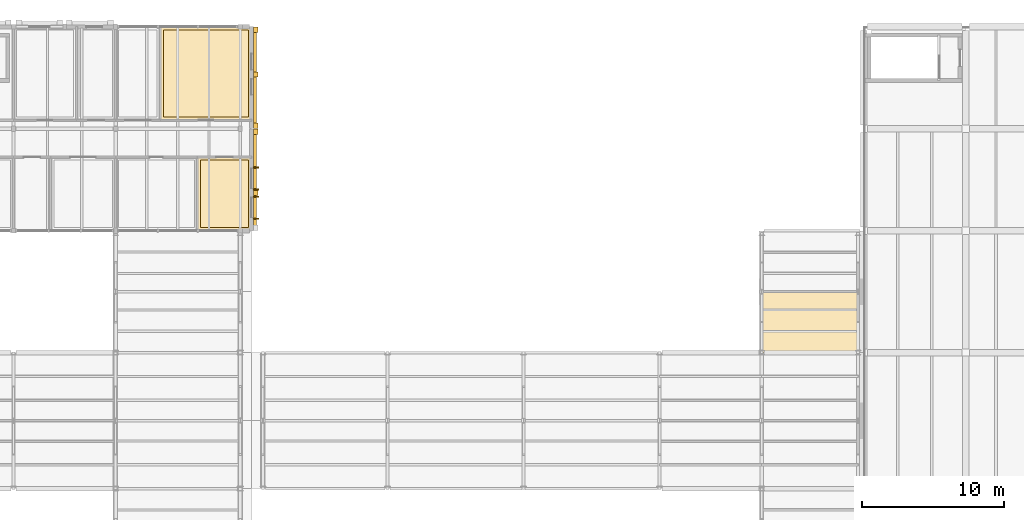
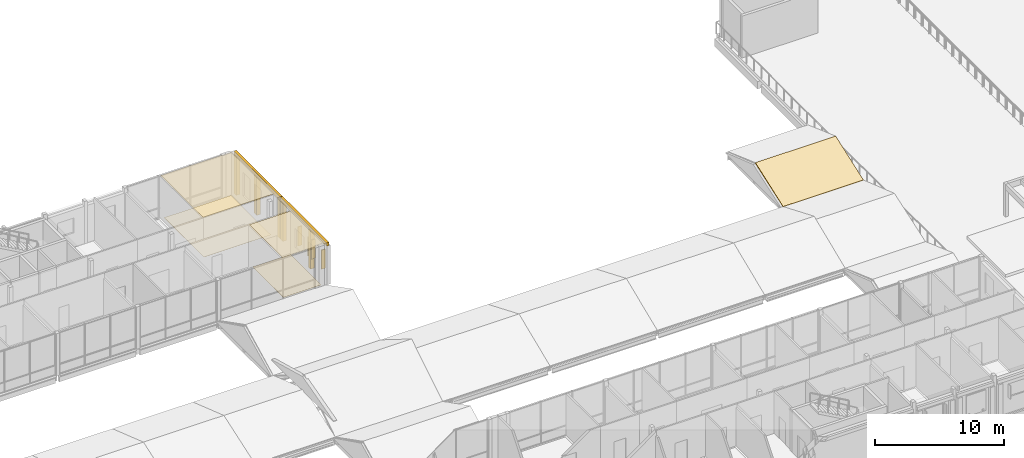
# One storey, part 112 of 115: 12 coverings, 4 shading devices.
"""IFC4 building model written with IfcOpenShell, lengths in metres."""

from ifc_helpers import new_model, si_unit, direction, frame, origin, origin_2d, place, context, subcontext, project, spatial, polyline, rectangle, outline, extrude, material, layer, layer_set, type_object, element, save


model = new_model("IFC4")

# Units and contexts
model_context = context("Model", 3, precision=1e-05, world=origin(), true_north=direction((0.0, 1.0)))
body_context = subcontext(model_context, "Body", "Model", "MODEL_VIEW")
ifc_project = project(units=[si_unit("LENGTHUNIT", "METRE"), si_unit("AREAUNIT", "SQUARE_METRE"), si_unit("VOLUMEUNIT", "CUBIC_METRE"), si_unit("PLANEANGLEUNIT", "RADIAN"), si_unit("MASSUNIT", "GRAM", prefix="KILO")], contexts=[model_context])

# Site, building, storey
site_placement = place(None, origin())
site = spatial("IfcSite", under=ifc_project, at=site_placement, CompositionType="ELEMENT")
building_placement = place(site_placement, origin())
building = spatial("IfcBuilding", under=site, at=building_placement, Name="Hawrajan Terrace Health Centre", CompositionType="ELEMENT")
storey_placement = place(building_placement, frame((0.0, 0.0, 9.0)))
storey = spatial("IfcBuildingStorey", under=building, at=storey_placement, Name="L02", CompositionType="ELEMENT", Elevation=9.0)

# Coverings
ifc_material_1 = material(Name="Precast concrete C40/50", Category="concrete")
ifc_layer_1 = layer(ifc_material_1, 0.219970703125)
ifc_layer_set_1 = layer_set([ifc_layer_1], Name="Precast concrete C40/50")
covering_type_1 = type_object("IfcCoveringType", Name="ArtDecoCorniceBand", PredefinedType="CLADDING", material=ifc_layer_set_1)
for number, where, z_axis, x_axis, name in (
    (1, (72.0400390625, 49.0, 3.669921875), (0.0, 0.0, 1.0), (0.0, 1.0, 0.0), "Art Deco limestone cornice band CRN-L02-0138"),
    (2, (72.0400390625, 56.199951171875, 3.669921875), (0.0, 0.0, 1.0), (0.0, 1.0, 0.0), "Art Deco limestone cornice band CRN-L02-0139"),
):
    element("IfcCovering", number, at=place(storey_placement, frame(where, z_axis=z_axis, x_axis=x_axis)), inside=storey, type_object=covering_type_1, Name=name, PredefinedType="CLADDING", context=body_context, shape_type="SweptSolid", body=[
        extrude(rectangle(XDim=7.159912109375, YDim=0.219970703125, at=origin_2d()), origin(), (0.0, 0.0, 1.0), 0.300048828125),
    ])
ifc_layer_2 = layer(ifc_material_1, 0.340087890625)
ifc_layer_set_2 = layer_set([ifc_layer_2], Name="Precast concrete C40/50")
covering_type_2 = type_object("IfcCoveringType", Name="ArtDecoStonePilaster", PredefinedType="CLADDING", material=ifc_layer_set_2)
covering_1_placement = place(storey_placement, frame((72.10009765625, 52.3798828125, 0.0), z_axis=(0.0, 0.0, 1.0), x_axis=(0.0, 1.0, 0.0)))
element("IfcCovering", 3, at=covering_1_placement, inside=storey, type_object=covering_type_2, Name="Art Deco fluted limestone pilaster FPIL-L02-0265", PredefinedType="CLADDING", context=body_context, shape_type="SweptSolid", body=[
    extrude(rectangle(XDim=0.39990234375, YDim=0.340087890625, at=origin_2d()), origin(), (0.0, 0.0, 1.0), 3.659912109375),
])
covering_2_placement = place(storey_placement, frame((72.10009765625, 48.06005859375, 0.0), z_axis=(0.0, 0.0, 1.0), x_axis=(0.0, 1.0, 0.0)))
element("IfcCovering", 4, at=covering_2_placement, inside=storey, type_object=covering_type_2, Name="Art Deco mullion pilaster FPIL-L02-0266", PredefinedType="CLADDING", context=body_context, shape_type="SweptSolid", body=[
    extrude(rectangle(XDim=0.360107421875, YDim=0.340087890625, at=origin_2d()), origin(), (0.0, 0.0, 1.0), 3.659912109375),
])
for number, where, z_axis, x_axis, name in (
    (5, (72.10009765625, 52.820068359375, 0.0), (0.0, 0.0, 1.0), (0.0, 1.0, 0.0), "Art Deco fluted limestone pilaster FPIL-L02-0267"),
    (6, (72.10009765625, 59.580078125, 0.0), (0.0, 0.0, 1.0), (0.0, 1.0, 0.0), "Art Deco fluted limestone pilaster FPIL-L02-0268"),
):
    element("IfcCovering", number, at=place(storey_placement, frame(where, z_axis=z_axis, x_axis=x_axis)), inside=storey, type_object=covering_type_2, Name=name, PredefinedType="CLADDING", context=body_context, shape_type="SweptSolid", body=[
        extrude(rectangle(XDim=0.39990234375, YDim=0.340087890625, at=origin_2d()), origin(), (0.0, 0.0, 1.0), 3.659912109375),
    ])
covering_3_placement = place(storey_placement, frame((72.10009765625, 56.43994140625, 0.0), z_axis=(0.0, 0.0, 1.0), x_axis=(0.0, 1.0, 0.0)))
element("IfcCovering", 7, at=covering_3_placement, inside=storey, type_object=covering_type_2, Name="Art Deco mullion pilaster FPIL-L02-0269", PredefinedType="CLADDING", context=body_context, shape_type="SweptSolid", body=[
    extrude(rectangle(XDim=0.360107421875, YDim=0.340087890625, at=origin_2d()), origin(), (0.0, 0.0, 1.0), 3.659912109375),
])
ifc_material_2 = material(Name="Hygienic mineral-fibre acoustic tile ceiling")
ifc_layer_3 = layer(ifc_material_2, 0.02490234375)
ifc_layer_set_3 = layer_set([ifc_layer_3], Name="Hygienic mineral-fibre acoustic tile ceiling")
covering_type_3 = type_object("IfcCoveringType", Name="ClinicalAcousticCeiling_25", PredefinedType="CEILING", material=ifc_layer_set_3)
covering_4_placement = place(storey_placement, frame((0.0, 0.0, 3.93505859375)))
element("IfcCovering", 8, at=covering_4_placement, inside=storey, type_object=covering_type_3, Name="Suspended ceiling L02-079", PredefinedType="CEILING", context=body_context, shape_type="SweptSolid", body=[
    extrude(outline(polyline([(67.99609375, 50.580078125), (71.77490234375, 50.580078125), (71.77490234375, 45.419921875), (67.99609375, 45.419921875), (67.99609375, 50.580078125)])), origin(), (0.0, 0.0, 1.0), 0.02490234375),
])
covering_5_placement = place(storey_placement, frame((0.0, 0.0, 3.93505859375)))
element("IfcCovering", 9, at=covering_5_placement, inside=storey, type_object=covering_type_3, Name="Suspended ceiling L02-081", PredefinedType="CEILING", context=body_context, shape_type="SweptSolid", body=[
    extrude(outline(polyline([(65.376708984375, 59.780029296875), (71.77490234375, 59.780029296875), (71.77490234375, 53.219970703125), (65.376708984375, 53.219970703125), (65.376708984375, 59.780029296875)])), origin(), (0.0, 0.0, 1.0), 0.02490234375),
])
ifc_material_3 = material(Name="Seamless medical-grade cushioned vinyl flooring")
ifc_layer_4 = layer(ifc_material_3, 0.011962890625)
ifc_layer_set_4 = layer_set([ifc_layer_4], Name="Seamless medical-grade cushioned vinyl flooring")
covering_type_4 = type_object("IfcCoveringType", Name="ClinicalVinylFlooring_12", PredefinedType="FLOORING", material=ifc_layer_set_4)
covering_6_placement = place(storey_placement, origin())
element("IfcCovering", 10, at=covering_6_placement, inside=storey, type_object=covering_type_4, Name="Floor finish L02-079", PredefinedType="FLOORING", context=body_context, shape_type="SweptSolid", body=[
    extrude(outline(polyline([(68.1962890625, 50.3798828125), (71.574951171875, 50.3798828125), (71.574951171875, 45.6201171875), (68.1962890625, 45.6201171875), (68.1962890625, 50.3798828125)])), origin(), (0.0, 0.0, 1.0), 0.011962890625),
])
covering_7_placement = place(storey_placement, origin())
element("IfcCovering", 11, at=covering_7_placement, inside=storey, type_object=covering_type_4, Name="Floor finish L02-081", PredefinedType="FLOORING", context=body_context, shape_type="SweptSolid", body=[
    extrude(outline(polyline([(65.576904296875, 59.580078125), (71.574951171875, 59.580078125), (71.574951171875, 53.419921875), (65.576904296875, 53.419921875), (65.576904296875, 59.580078125)])), origin(), (0.0, 0.0, 1.0), 0.011962890625),
])

# Shading devices
ifc_material_4 = material(Name="Anodized bronze mashrabiya vertical solar fin")
ifc_layer_5 = layer(ifc_material_4, 0.080078125)
ifc_layer_set_5 = layer_set([ifc_layer_5], Name="Anodized bronze mashrabiya vertical solar fin")
shading_device_type = type_object("IfcShadingDeviceType", Name="MashrabiyaVerticalFin", PredefinedType="USERDEFINED", material=ifc_layer_set_5)
for number, where, z_axis, x_axis, name in (
    (12, (72.110107421875, 46.25, 1.0), (0.0, 0.0, 1.0), (0.0, 1.0, 0.0), "Bronze mashrabiya solar fin FIN-L02-0179"),
    (13, (72.110107421875, 47.81005859375, 1.0), (0.0, 0.0, 1.0), (0.0, 1.0, 0.0), "Bronze mashrabiya solar fin FIN-L02-0180"),
    (14, (72.110107421875, 48.31005859375, 1.0), (0.0, 0.0, 1.0), (0.0, 1.0, 0.0), "Bronze mashrabiya solar fin FIN-L02-0181"),
    (15, (72.110107421875, 49.8701171875, 1.0), (0.0, 0.0, 1.0), (0.0, 1.0, 0.0), "Bronze mashrabiya solar fin FIN-L02-0182"),
):
    element("IfcShadingDevice", number, at=place(storey_placement, frame(where, z_axis=z_axis, x_axis=x_axis)), inside=storey, type_object=shading_device_type, Name=name, ObjectType="SOLAR_FIN", PredefinedType="USERDEFINED", context=body_context, shape_type="SweptSolid", body=[
        extrude(rectangle(XDim=0.080078125, YDim=0.360107421875, at=origin_2d()), origin(), (0.0, 0.0, 1.0), 1.800048828125),
    ])

# Covering
ifc_material_5 = material(Name="Standing-seam zinc roofing and PIR insulation")
ifc_layer_6 = layer(ifc_material_5, 0.0849609375)
ifc_layer_set_6 = layer_set([ifc_layer_6], Name="Standing-seam zinc roofing and PIR insulation")
covering_type_5 = type_object("IfcCoveringType", Name="StandingSeamZinc_Roofing", PredefinedType="ROOFING", material=ifc_layer_set_6)
covering_8_placement = place(storey_placement, frame((107.800048828125, 36.800048828125, 0.0849609375), z_axis=(0.0, -0.33911284156, 0.940745704582), x_axis=(1.0, 0.0, 0.0)))
element("IfcCovering", 16, at=covering_8_placement, inside=storey, type_object=covering_type_5, Name="Standing-seam zinc roof RF-V1-14-TRS-NC-S", PredefinedType="ROOFING", context=body_context, shape_type="SweptSolid", body=[
    extrude(outline(polyline([(0.0, 0.0), (7.179931640625, 0.0), (7.179931640625, 4.570893927212802), (0.0, 4.570893927212802), (0.0, 0.0)])), origin(), (0.0, 0.0, -1.0), 0.0849609375),
])

save(model, "model.ifc")
